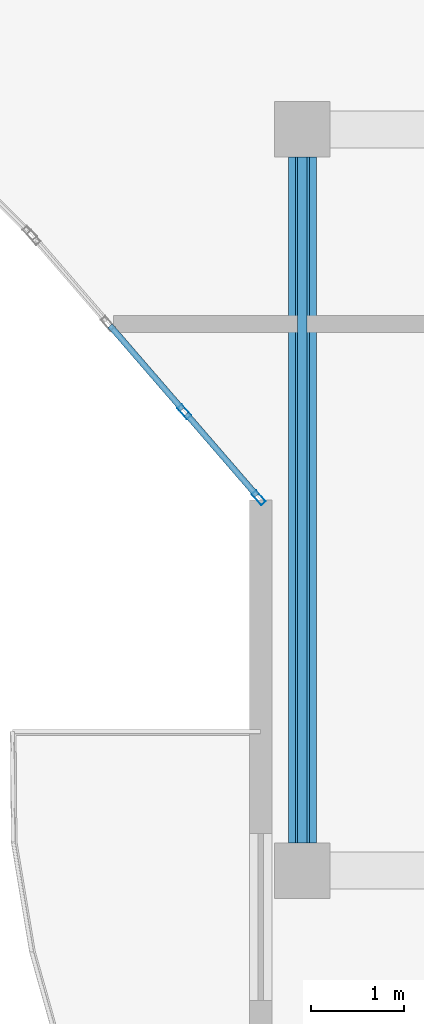
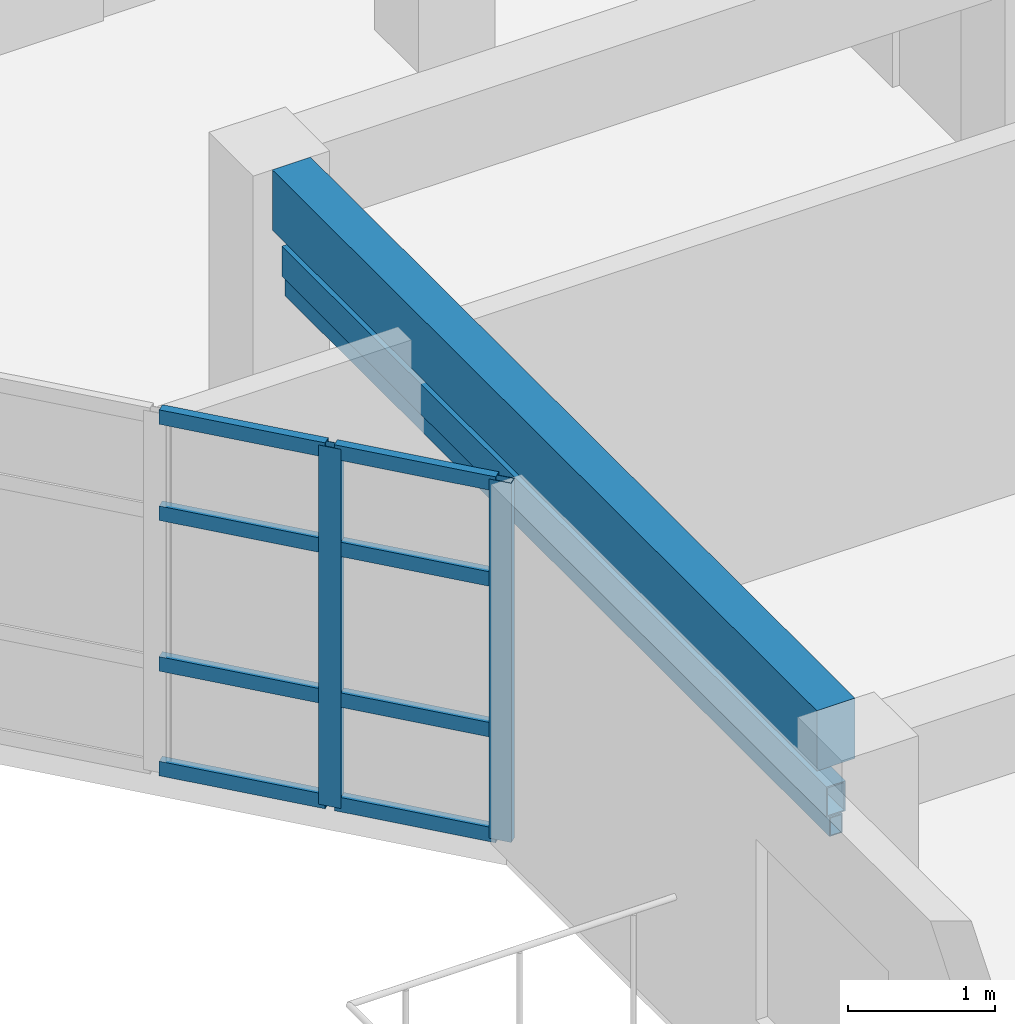
# One storey, part 11 of 72: 12 members, 1 beam, 1 element without a shape of its own.
"""IFC4 building model written with IfcOpenShell, lengths in metres."""

from ifc_helpers import new_model, si_unit, direction, frame, origin, origin_2d, place, context, subcontext, project, spatial, rectangle, hollow_rectangle, extrude, material, layer, layer_set, material_profile, profile_set, type_object, element, aggregate, save


model = new_model("IFC4")

# Units and contexts
model_context = context("Model", 3, precision=1e-05, world=origin(), true_north=direction((0.0, 1.0)))
body_context = subcontext(model_context, "Body", "Model", "MODEL_VIEW")
ifc_project = project(units=[si_unit("LENGTHUNIT", "METRE"), si_unit("AREAUNIT", "SQUARE_METRE"), si_unit("VOLUMEUNIT", "CUBIC_METRE"), si_unit("PLANEANGLEUNIT", "RADIAN"), si_unit("MASSUNIT", "GRAM", prefix="KILO")], contexts=[model_context])

# Site, building, storey
site_placement = place(None, origin())
site = spatial("IfcSite", under=ifc_project, at=site_placement, CompositionType="ELEMENT")
building_placement = place(site_placement, origin())
building = spatial("IfcBuilding", under=site, at=building_placement, Name="Keldmere Railside Commons", CompositionType="ELEMENT")
storey_placement = place(building_placement, frame((0.0, 0.0, 16.9599609375)))
storey = spatial("IfcBuildingStorey", under=building, at=storey_placement, Name="L05", CompositionType="ELEMENT", Elevation=16.9599609375)

# Member
ifc_material_1 = material(Name="Steel F-36 (S355)", Category="steel")
ifc_material_profile_1 = material_profile(ifc_material_1, hollow_rectangle(XDim=0.14990234375, YDim=0.25, WallThickness=0.010009765625, at=origin_2d()), Name="RHS-250x150x10")
ifc_profile_set_1 = profile_set([ifc_material_profile_1], Name="Steel F-36 (S355)")
member_type_1 = type_object("IfcMemberType", Name="Balcony Continuous Planted Trough RHS250x150", PredefinedType="CHORD", material=ifc_profile_set_1)
member_1_placement = place(storey_placement, frame((104.449951171875, 88.300048828125, 2.4150390625), z_axis=(0.0, 1.0, 0.0), x_axis=(-1.0, 0.0, 0.0)))
element("IfcMember", 1, at=member_1_placement, inside=storey, type_object=member_type_1, Name="PLT-1 MEM-BPLT-0637", PredefinedType="CHORD", context=body_context, shape_type="SweptSolid", body=[
    extrude(hollow_rectangle(XDim=0.14990234375, YDim=0.25, WallThickness=0.010009765625, at=origin_2d()), origin(), (0.0, 0.0, 1.0), 7.39990234375),
])

# Beam
ifc_material_2 = material(Name="Concrete H-30 (C30/37)", Category="concrete")
ifc_material_profile_2 = material_profile(ifc_material_2, rectangle(XDim=0.300048828125, YDim=0.5, at=origin_2d()), Name="RC-300x500")
ifc_profile_set_2 = profile_set([ifc_material_profile_2], Name="Concrete H-30 (C30/37)")
beam_type = type_object("IfcBeamType", Name="Secondary Frame RC Beam 300x500", PredefinedType="BEAM", material=ifc_profile_set_2)
beam_placement = place(storey_placement, frame((104.449951171875, 88.300048828125, 2.949951171875), z_axis=(0.0, 1.0, 0.0), x_axis=(-1.0, 0.0, 0.0)))
element("IfcBeam", 2, at=beam_placement, inside=storey, type_object=beam_type, Name="BG-5 BM-L05-1819", PredefinedType="BEAM", context=body_context, shape_type="SweptSolid", body=[
    extrude(rectangle(XDim=0.300048828125, YDim=0.5, at=origin_2d()), origin(), (0.0, 0.0, 1.0), 7.39990234375),
])

# Member
ifc_material_profile_3 = material_profile(ifc_material_1, hollow_rectangle(XDim=0.10009765625, YDim=0.159912109375, WallThickness=0.008056640625, at=origin_2d()), Name="RHS-160x100x8")
ifc_profile_set_3 = profile_set([ifc_material_profile_3], Name="Steel F-36 (S355)")
member_type_2 = type_object("IfcMemberType", Name="Solar Brise-Soleil Louvre Fin RHS160x100", PredefinedType="STRUT", material=ifc_profile_set_3)
member_2_placement = place(storey_placement, frame((104.449951171875, 88.300048828125, 2.199951171875), z_axis=(0.0, 1.0, 0.0), x_axis=(-1.0, 0.0, 0.0)))
element("IfcMember", 3, at=member_2_placement, inside=storey, type_object=member_type_2, Name="BSF-1 MEM-BSF-0638", PredefinedType="STRUT", context=body_context, shape_type="SweptSolid", body=[
    extrude(hollow_rectangle(XDim=0.10009765625, YDim=0.159912109375, WallThickness=0.008056640625, at=origin_2d()), origin(), (0.0, 0.0, 1.0), 7.39990234375),
])

# Curtain wall, members
ifc_material_3 = material(Name="Thermally Broken Aluminium", Category="aluminium")
ifc_layer = layer(ifc_material_3, 0.159912109375, Name="Court Chord Wintergarden CW 4800x2850")
ifc_layer_set = layer_set([ifc_layer], Name="Thermally Broken Aluminium")
curtain_wall_type = type_object("IfcCurtainWallType", Name="Court Chord Wintergarden CW 4800x2850", PredefinedType="NOTDEFINED", material=ifc_layer_set)
curtain_wall_placement = place(storey_placement, origin())
curtain_wall = element("IfcCurtainWall", 4, at=curtain_wall_placement, inside=storey, type_object=curtain_wall_type, Name="CW-12 CW-L05-120", PredefinedType="NOTDEFINED")
ifc_material_profile_4 = material_profile(ifc_material_3, hollow_rectangle(XDim=0.06494140625, YDim=0.159912109375, WallThickness=0.00390625, at=origin_2d()), Name="ALU-MULL-65x160")
ifc_profile_set_4 = profile_set([ifc_material_profile_4], Name="Thermally Broken Aluminium")
member_type_3 = type_object("IfcMemberType", Name="Unitised Curtain Wall Mullion 65x160", PredefinedType="MULLION", material=ifc_profile_set_4)
member_3_placement = place(storey_placement, frame((103.978759765625, 92.024658203125, 0.0), z_axis=(0.0, 0.0, 1.0), x_axis=(-0.756596767584, -0.653881741053, 0.0)))
member_3 = element("IfcMember", 5, at=member_3_placement, type_object=member_type_3, Name="CW-12 mullion 1", PredefinedType="MULLION", context=body_context, shape_type="SweptSolid", body=[
    extrude(hollow_rectangle(XDim=0.06494140625, YDim=0.159912109375, WallThickness=0.00390625, at=origin_2d()), origin(), (0.0, 0.0, 1.0), 2.97998046875),
])
member_4_placement = place(storey_placement, frame((103.1767578125, 92.95263671875, 0.0), z_axis=(0.0, 0.0, 1.0), x_axis=(-0.756596767584, -0.653881741053, 0.0)))
member_4 = element("IfcMember", 6, at=member_4_placement, type_object=member_type_3, Name="CW-12 mullion 2", PredefinedType="MULLION", context=body_context, shape_type="SweptSolid", body=[
    extrude(hollow_rectangle(XDim=0.06494140625, YDim=0.159912109375, WallThickness=0.00390625, at=origin_2d()), origin(), (0.0, 0.0, 1.0), 2.97998046875),
])
ifc_material_profile_5 = material_profile(ifc_material_3, hollow_rectangle(XDim=0.06494140625, YDim=0.1201171875, WallThickness=0.00390625, at=origin_2d()), Name="ALU-TRAN-65x120")
ifc_profile_set_5 = profile_set([ifc_material_profile_5], Name="Thermally Broken Aluminium")
member_type_4 = type_object("IfcMemberType", Name="Unitised Curtain Wall Transom 65x120", PredefinedType="USERDEFINED", material=ifc_profile_set_5)
member_5_placement = place(storey_placement, frame((103.95751953125, 92.049072265625, 0.032470703125), z_axis=(-0.653849663033, 0.756624489527, 0.0), x_axis=(-0.756624489527, -0.653849663033, 0.0)))
member_5 = element("IfcMember", 7, at=member_5_placement, type_object=member_type_4, Name="CW-12 transom 1.1", ObjectType="TRANSOM", PredefinedType="USERDEFINED", context=body_context, shape_type="SweptSolid", body=[
    extrude(hollow_rectangle(XDim=0.06494140625, YDim=0.1201171875, WallThickness=0.00390625, at=origin_2d()), origin(), (0.0, 0.0, 1.0), 1.16162109375),
])
member_6_placement = place(storey_placement, frame((103.95751953125, 92.049072265625, 0.900146484375), z_axis=(-0.653849663033, 0.756624489527, 0.0), x_axis=(-0.756624489527, -0.653849663033, 0.0)))
member_6 = element("IfcMember", 8, at=member_6_placement, type_object=member_type_4, Name="CW-12 transom 1.2", ObjectType="TRANSOM", PredefinedType="USERDEFINED", context=body_context, shape_type="SweptSolid", body=[
    extrude(hollow_rectangle(XDim=0.06494140625, YDim=0.1201171875, WallThickness=0.00390625, at=origin_2d()), origin(), (0.0, 0.0, 1.0), 1.16162109375),
])
member_7_placement = place(storey_placement, frame((103.95751953125, 92.049072265625, 2.150146484375), z_axis=(-0.653849663033, 0.756624489527, 0.0), x_axis=(-0.756624489527, -0.653849663033, 0.0)))
member_7 = element("IfcMember", 9, at=member_7_placement, type_object=member_type_4, Name="CW-12 transom 1.3", ObjectType="TRANSOM", PredefinedType="USERDEFINED", context=body_context, shape_type="SweptSolid", body=[
    extrude(hollow_rectangle(XDim=0.06494140625, YDim=0.1201171875, WallThickness=0.00390625, at=origin_2d()), origin(), (0.0, 0.0, 1.0), 1.16162109375),
])
member_8_placement = place(storey_placement, frame((103.95751953125, 92.049072265625, 2.947509765625), z_axis=(-0.653849663033, 0.756624489527, 0.0), x_axis=(-0.756624489527, -0.653849663033, 0.0)))
member_8 = element("IfcMember", 10, at=member_8_placement, type_object=member_type_4, Name="CW-12 transom 1.4", ObjectType="TRANSOM", PredefinedType="USERDEFINED", context=body_context, shape_type="SweptSolid", body=[
    extrude(hollow_rectangle(XDim=0.06494140625, YDim=0.1201171875, WallThickness=0.00390625, at=origin_2d()), origin(), (0.0, 0.0, 1.0), 1.16162109375),
])
member_9_placement = place(storey_placement, frame((103.155517578125, 92.977294921875, 0.032470703125), z_axis=(-0.653933819796, 0.756551755881, 0.0), x_axis=(-0.756551755881, -0.653933819796, 0.0)))
member_9 = element("IfcMember", 11, at=member_9_placement, type_object=member_type_4, Name="CW-12 transom 2.1", ObjectType="TRANSOM", PredefinedType="USERDEFINED", context=body_context, shape_type="SweptSolid", body=[
    extrude(hollow_rectangle(XDim=0.06494140625, YDim=0.1201171875, WallThickness=0.00390625, at=origin_2d()), origin(), (0.0, 0.0, 1.0), 1.1943359375),
])
member_10_placement = place(storey_placement, frame((103.155517578125, 92.977294921875, 0.900146484375), z_axis=(-0.653933819796, 0.756551755881, 0.0), x_axis=(-0.756551755881, -0.653933819796, 0.0)))
member_10 = element("IfcMember", 12, at=member_10_placement, type_object=member_type_4, Name="CW-12 transom 2.2", ObjectType="TRANSOM", PredefinedType="USERDEFINED", context=body_context, shape_type="SweptSolid", body=[
    extrude(hollow_rectangle(XDim=0.06494140625, YDim=0.1201171875, WallThickness=0.00390625, at=origin_2d()), origin(), (0.0, 0.0, 1.0), 1.1943359375),
])
member_11_placement = place(storey_placement, frame((103.155517578125, 92.977294921875, 2.150146484375), z_axis=(-0.653933819796, 0.756551755881, 0.0), x_axis=(-0.756551755881, -0.653933819796, 0.0)))
member_11 = element("IfcMember", 13, at=member_11_placement, type_object=member_type_4, Name="CW-12 transom 2.3", ObjectType="TRANSOM", PredefinedType="USERDEFINED", context=body_context, shape_type="SweptSolid", body=[
    extrude(hollow_rectangle(XDim=0.06494140625, YDim=0.1201171875, WallThickness=0.00390625, at=origin_2d()), origin(), (0.0, 0.0, 1.0), 1.1943359375),
])
member_12_placement = place(storey_placement, frame((103.155517578125, 92.977294921875, 2.947509765625), z_axis=(-0.653933819796, 0.756551755881, 0.0), x_axis=(-0.756551755881, -0.653933819796, 0.0)))
member_12 = element("IfcMember", 14, at=member_12_placement, type_object=member_type_4, Name="CW-12 transom 2.4", ObjectType="TRANSOM", PredefinedType="USERDEFINED", context=body_context, shape_type="SweptSolid", body=[
    extrude(hollow_rectangle(XDim=0.06494140625, YDim=0.1201171875, WallThickness=0.00390625, at=origin_2d()), origin(), (0.0, 0.0, 1.0), 1.1943359375),
])
aggregate(curtain_wall, [member_3, member_4, member_5, member_6, member_7, member_8, member_9, member_10, member_11, member_12])

save(model, "model.ifc")
